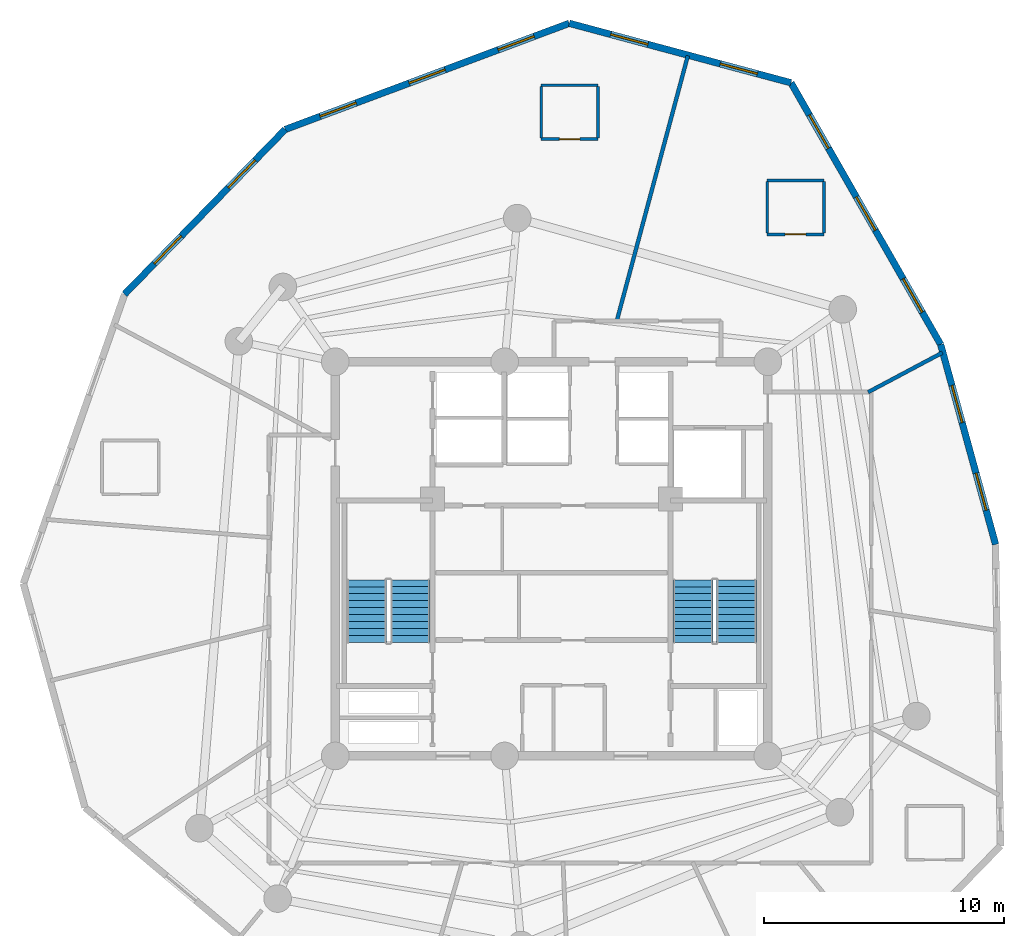
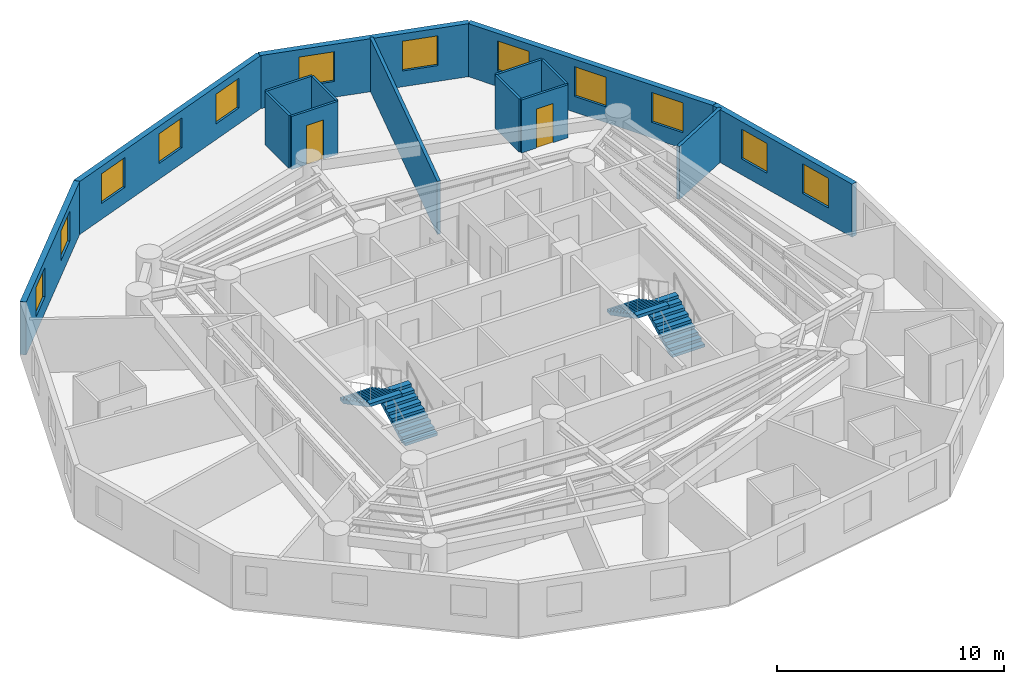
# One storey, part 6 of 7: 15 walls, 12 windows, 4 stair flights, 2 doors, 14 openings, 2 elements without a shape of their own.
"""IFC4 building model written with IfcOpenShell, lengths in metres."""

from ifc_helpers import new_model, si_unit, direction, frame, frame_2d, origin, origin_with_axes, place, context, subcontext, project, spatial, polyline, rectangle, outline, extrude, source, transform, mapped, material, layer, layer_set, type_object, element, fill, aggregate, save


model = new_model("IFC4")

# Units and contexts
model_context = context("Model", 3, precision=1e-05, world=origin(), true_north=direction((0.0, 1.0)))
body_context = subcontext(model_context, "Body", "Model", "MODEL_VIEW")
ifc_project = project(units=[si_unit("LENGTHUNIT", "METRE"), si_unit("AREAUNIT", "SQUARE_METRE"), si_unit("VOLUMEUNIT", "CUBIC_METRE"), si_unit("PLANEANGLEUNIT", "RADIAN"), si_unit("MASSUNIT", "GRAM", prefix="KILO")], contexts=[model_context])

# Site, building, storey
site_placement = place(None, origin())
site = spatial("IfcSite", under=ifc_project, at=site_placement, CompositionType="ELEMENT")
building_placement = place(site_placement, origin())
building = spatial("IfcBuilding", under=site, at=building_placement, Name="Karkom Vertical University and Central Library", CompositionType="ELEMENT")
storey_placement = place(building_placement, frame((0.0, 0.0, 226.050048828125)))
storey = spatial("IfcBuildingStorey", under=building, at=storey_placement, Name="L66", CompositionType="ELEMENT", Elevation=226.050048828125)

# Wall, openings, windows
ifc_material_1 = material(Name="Brick-faced precast concrete C45/55", Category="masonry")
ifc_layer_1 = layer(ifc_material_1, 0.280029296875)
ifc_layer_set_1 = layer_set([ifc_layer_1], Name="Brick-faced precast concrete C45/55")
wall_type_1 = type_object("IfcWallType", Name="ENV-WL-BRK-280", PredefinedType="SOLIDWALL", material=ifc_layer_set_1)
wall_1_placement = place(storey_placement, frame((46.976318359375, 27.1005859375, 0.0), z_axis=(0.0, 0.0, 1.0), x_axis=(-0.264883595198, 0.964280395422, 0.0)))
wall_1 = element("IfcWall", 1, at=wall_1_placement, inside=storey, type_object=wall_type_1, Name="Level 66 Brick-Faced Precast Facade Wall 07", PredefinedType="SOLIDWALL", context=body_context, shape_type="SweptSolid", body=[
    extrude(rectangle(XDim=8.6298828125, YDim=0.280029296875, at=frame_2d((4.31494140625, 0.0))), origin(), (0.0, 0.0, 1.0), 2.849853515625),
])
opening_1_placement = place(wall_1_placement, frame((1.47265625, 0.0, 0.85009765625)))
opening_1 = element("IfcOpeningElement", 2, at=opening_1_placement, cuts=wall_1, Name="Opening WN-10", PredefinedType="OPENING", context=body_context, shape_type="SweptSolid", body=[
    extrude(rectangle(XDim=1.60009765625, YDim=1.60009765625, at=frame_2d((0.800048828125, 0.800048828125))), frame((0.0, 0.14990234375, 0.0), z_axis=(0.0, -1.0, 0.0), x_axis=(1.0, 0.0, 0.0)), (0.0, 0.0, 1.0), 0.300048828125),
])
opening_2_placement = place(wall_1_placement, frame((5.258056640625, 0.0, 0.85009765625)))
opening_2 = element("IfcOpeningElement", 3, at=opening_2_placement, cuts=wall_1, Name="Opening WN-10", PredefinedType="OPENING", context=body_context, shape_type="SweptSolid", body=[
    extrude(rectangle(XDim=1.60009765625, YDim=1.60009765625, at=frame_2d((0.800048828125, 0.800048828125))), frame((0.0, 0.14990234375, 0.0), z_axis=(0.0, -1.0, 0.0), x_axis=(1.0, 0.0, 0.0)), (0.0, 0.0, 1.0), 0.300048828125),
])
ifc_material_2 = material(Name="Aluminium thermal-break frame with solar-control IGU", Category="aluminium")
window_type = type_object("IfcWindowType", Name="ENV-WIN-WN-10", PartitioningType="SINGLE_PANEL", PredefinedType="WINDOW", material=ifc_material_2)
shared_shape_1 = source(origin_with_axes(), body_context, "Body", "SweptSolid", [
    extrude(rectangle(XDim=1.60009765625, YDim=1.60009765625, at=frame_2d((0.800048828125, 0.800048828125))), frame((0.0, 0.030029296875, 0.0), z_axis=(0.0, -1.0, 0.0), x_axis=(1.0, 0.0, 0.0)), (0.0, 0.0, 1.0), 0.06005859375),
])
window_1_placement = place(opening_1_placement, origin())
window_1 = element("IfcWindow", 4, at=window_1_placement, inside=storey, type_object=window_type, Name="Level 66 Punched Window 7.1", OverallHeight=1.60009765625, OverallWidth=1.60009765625, PartitioningType="SINGLE_PANEL", PredefinedType="WINDOW", context=body_context, shape_type="MappedRepresentation", body=[
    mapped(shared_shape_1, transform((0.0, 0.0, 0.0), scale=1.0)),
])
fill(opening_1, window_1)
window_2_placement = place(opening_2_placement, origin())
window_2 = element("IfcWindow", 5, at=window_2_placement, inside=storey, type_object=window_type, Name="Level 66 Punched Window 7.2", OverallHeight=1.60009765625, OverallWidth=1.60009765625, PartitioningType="SINGLE_PANEL", PredefinedType="WINDOW", context=body_context, shape_type="MappedRepresentation", body=[
    mapped(shared_shape_1, transform((0.0, 0.0, 0.0), scale=1.0)),
])
fill(opening_2, window_2)

wall_2_placement = place(storey_placement, frame((44.6904296875, 35.422119140625, 0.0), z_axis=(0.0, 0.0, 1.0), x_axis=(-0.496436598051, 0.868072983173, 0.0)))
wall_2 = element("IfcWall", 6, at=wall_2_placement, inside=storey, type_object=wall_type_1, Name="Level 66 Brick-Faced Precast Facade Wall 08", PredefinedType="SOLIDWALL", context=body_context, shape_type="SweptSolid", body=[
    extrude(rectangle(XDim=12.54150390625, YDim=0.280029296875, at=frame_2d((6.270751953125, 0.0))), origin(), (0.0, 0.0, 1.0), 2.849853515625),
])
opening_3_placement = place(wall_2_placement, frame((1.543701171875, 0.0, 0.85009765625)))
opening_3 = element("IfcOpeningElement", 7, at=opening_3_placement, cuts=wall_2, Name="Opening WN-10", PredefinedType="OPENING", context=body_context, shape_type="SweptSolid", body=[
    extrude(rectangle(XDim=1.60009765625, YDim=1.60009765625, at=frame_2d((0.800048828125, 0.800048828125))), frame((0.0, 0.14990234375, 0.0), z_axis=(0.0, -1.0, 0.0), x_axis=(1.0, 0.0, 0.0)), (0.0, 0.0, 1.0), 0.300048828125),
])
opening_4_placement = place(wall_2_placement, frame((5.470703125, 0.0, 0.85009765625)))
opening_4 = element("IfcOpeningElement", 8, at=opening_4_placement, cuts=wall_2, Name="Opening WN-10", PredefinedType="OPENING", context=body_context, shape_type="SweptSolid", body=[
    extrude(rectangle(XDim=1.60009765625, YDim=1.60009765625, at=frame_2d((0.800048828125, 0.800048828125))), frame((0.0, 0.14990234375, 0.0), z_axis=(0.0, -1.0, 0.0), x_axis=(1.0, 0.0, 0.0)), (0.0, 0.0, 1.0), 0.300048828125),
])
opening_5_placement = place(wall_2_placement, frame((9.39794921875, 0.0, 0.85009765625)))
opening_5 = element("IfcOpeningElement", 9, at=opening_5_placement, cuts=wall_2, Name="Opening WN-10", PredefinedType="OPENING", context=body_context, shape_type="SweptSolid", body=[
    extrude(rectangle(XDim=1.60009765625, YDim=1.60009765625, at=frame_2d((0.800048828125, 0.800048828125))), frame((0.0, 0.14990234375, 0.0), z_axis=(0.0, -1.0, 0.0), x_axis=(1.0, 0.0, 0.0)), (0.0, 0.0, 1.0), 0.300048828125),
])
window_3_placement = place(opening_3_placement, origin())
window_3 = element("IfcWindow", 10, at=window_3_placement, inside=storey, type_object=window_type, Name="Level 66 Punched Window 8.1", OverallHeight=1.60009765625, OverallWidth=1.60009765625, PartitioningType="SINGLE_PANEL", PredefinedType="WINDOW", context=body_context, shape_type="MappedRepresentation", body=[
    mapped(shared_shape_1, transform((0.0, 0.0, 0.0), scale=1.0)),
])
fill(opening_3, window_3)
window_4_placement = place(opening_4_placement, origin())
window_4 = element("IfcWindow", 11, at=window_4_placement, inside=storey, type_object=window_type, Name="Level 66 Punched Window 8.2", OverallHeight=1.60009765625, OverallWidth=1.60009765625, PartitioningType="SINGLE_PANEL", PredefinedType="WINDOW", context=body_context, shape_type="MappedRepresentation", body=[
    mapped(shared_shape_1, transform((0.0, 0.0, 0.0), scale=1.0)),
])
fill(opening_4, window_4)
window_5_placement = place(opening_5_placement, origin())
window_5 = element("IfcWindow", 12, at=window_5_placement, inside=storey, type_object=window_type, Name="Level 66 Punched Window 8.3", OverallHeight=1.60009765625, OverallWidth=1.60009765625, PartitioningType="SINGLE_PANEL", PredefinedType="WINDOW", context=body_context, shape_type="MappedRepresentation", body=[
    mapped(shared_shape_1, transform((0.0, 0.0, 0.0), scale=1.0)),
])
fill(opening_5, window_5)

wall_3_placement = place(storey_placement, frame((38.46435546875, 46.30908203125, 0.0), z_axis=(0.0, 0.0, 1.0), x_axis=(-0.965830047026, 0.259176233983, 0.0)))
wall_3 = element("IfcWall", 13, at=wall_3_placement, inside=storey, type_object=wall_type_1, Name="Level 66 Brick-Faced Precast Facade Wall 09", PredefinedType="SOLIDWALL", context=body_context, shape_type="SweptSolid", body=[
    extrude(rectangle(XDim=9.555419921875, YDim=0.280029296875, at=frame_2d((4.77783203125, 0.0))), origin(), (0.0, 0.0, 1.0), 2.849853515625),
])
opening_6_placement = place(wall_3_placement, frame((1.448974609375, 0.0, 0.85009765625)))
opening_6 = element("IfcOpeningElement", 14, at=opening_6_placement, cuts=wall_3, Name="Opening WN-10", PredefinedType="OPENING", context=body_context, shape_type="SweptSolid", body=[
    extrude(rectangle(XDim=1.60009765625, YDim=1.60009765625, at=frame_2d((0.800048828125, 0.800048828125))), frame((0.0, 0.14990234375, 0.0), z_axis=(0.0, -1.0, 0.0), x_axis=(1.0, 0.0, 0.0)), (0.0, 0.0, 1.0), 0.300048828125),
])
opening_7_placement = place(wall_3_placement, frame((6.166748046875, 0.0, 0.85009765625)))
opening_7 = element("IfcOpeningElement", 15, at=opening_7_placement, cuts=wall_3, Name="Opening WN-10", PredefinedType="OPENING", context=body_context, shape_type="SweptSolid", body=[
    extrude(rectangle(XDim=1.60009765625, YDim=1.60009765625, at=frame_2d((0.800048828125, 0.800048828125))), frame((0.0, 0.14990234375, 0.0), z_axis=(0.0, -1.0, 0.0), x_axis=(1.0, 0.0, 0.0)), (0.0, 0.0, 1.0), 0.300048828125),
])
window_6_placement = place(opening_6_placement, origin())
window_6 = element("IfcWindow", 16, at=window_6_placement, inside=storey, type_object=window_type, Name="Level 66 Punched Window 9.1", OverallHeight=1.60009765625, OverallWidth=1.60009765625, PartitioningType="SINGLE_PANEL", PredefinedType="WINDOW", context=body_context, shape_type="MappedRepresentation", body=[
    mapped(shared_shape_1, transform((0.0, 0.0, 0.0), scale=1.0)),
])
fill(opening_6, window_6)
window_7_placement = place(opening_7_placement, origin())
window_7 = element("IfcWindow", 17, at=window_7_placement, inside=storey, type_object=window_type, Name="Level 66 Punched Window 9.2", OverallHeight=1.60009765625, OverallWidth=1.60009765625, PartitioningType="SINGLE_PANEL", PredefinedType="WINDOW", context=body_context, shape_type="MappedRepresentation", body=[
    mapped(shared_shape_1, transform((0.0, 0.0, 0.0), scale=1.0)),
])
fill(opening_7, window_7)

wall_4_placement = place(storey_placement, frame((29.2353515625, 48.78564453125, 0.0), z_axis=(0.0, 0.0, 1.0), x_axis=(-0.936684055386, -0.350175642193, 0.0)))
wall_4 = element("IfcWall", 18, at=wall_4_placement, inside=storey, type_object=wall_type_1, Name="Level 66 Brick-Faced Precast Facade Wall 10", PredefinedType="SOLIDWALL", context=body_context, shape_type="SweptSolid", body=[
    extrude(rectangle(XDim=12.62060546875, YDim=0.280029296875, at=frame_2d((6.310302734375, 0.0))), origin(), (0.0, 0.0, 1.0), 2.849853515625),
])
opening_8_placement = place(wall_4_placement, frame((1.556884765625, 0.0, 0.85009765625)))
opening_8 = element("IfcOpeningElement", 19, at=opening_8_placement, cuts=wall_4, Name="Opening WN-10", PredefinedType="OPENING", context=body_context, shape_type="SweptSolid", body=[
    extrude(rectangle(XDim=1.60009765625, YDim=1.60009765625, at=frame_2d((0.800048828125, 0.800048828125))), frame((0.0, 0.14990234375, 0.0), z_axis=(0.0, -1.0, 0.0), x_axis=(1.0, 0.0, 0.0)), (0.0, 0.0, 1.0), 0.300048828125),
])
opening_9_placement = place(wall_4_placement, frame((5.51025390625, 0.0, 0.85009765625)))
opening_9 = element("IfcOpeningElement", 20, at=opening_9_placement, cuts=wall_4, Name="Opening WN-10", PredefinedType="OPENING", context=body_context, shape_type="SweptSolid", body=[
    extrude(rectangle(XDim=1.60009765625, YDim=1.60009765625, at=frame_2d((0.800048828125, 0.800048828125))), frame((0.0, 0.14990234375, 0.0), z_axis=(0.0, -1.0, 0.0), x_axis=(1.0, 0.0, 0.0)), (0.0, 0.0, 1.0), 0.300048828125),
])
opening_10_placement = place(wall_4_placement, frame((9.4638671875, 0.0, 0.85009765625)))
opening_10 = element("IfcOpeningElement", 21, at=opening_10_placement, cuts=wall_4, Name="Opening WN-10", PredefinedType="OPENING", context=body_context, shape_type="SweptSolid", body=[
    extrude(rectangle(XDim=1.60009765625, YDim=1.60009765625, at=frame_2d((0.800048828125, 0.800048828125))), frame((0.0, 0.14990234375, 0.0), z_axis=(0.0, -1.0, 0.0), x_axis=(1.0, 0.0, 0.0)), (0.0, 0.0, 1.0), 0.300048828125),
])
window_8_placement = place(opening_8_placement, origin())
window_8 = element("IfcWindow", 22, at=window_8_placement, inside=storey, type_object=window_type, Name="Level 66 Punched Window 10.1", OverallHeight=1.60009765625, OverallWidth=1.60009765625, PartitioningType="SINGLE_PANEL", PredefinedType="WINDOW", context=body_context, shape_type="MappedRepresentation", body=[
    mapped(shared_shape_1, transform((0.0, 0.0, 0.0), scale=1.0)),
])
fill(opening_8, window_8)
window_9_placement = place(opening_9_placement, origin())
window_9 = element("IfcWindow", 23, at=window_9_placement, inside=storey, type_object=window_type, Name="Level 66 Punched Window 10.2", OverallHeight=1.60009765625, OverallWidth=1.60009765625, PartitioningType="SINGLE_PANEL", PredefinedType="WINDOW", context=body_context, shape_type="MappedRepresentation", body=[
    mapped(shared_shape_1, transform((0.0, 0.0, 0.0), scale=1.0)),
])
fill(opening_9, window_9)
window_10_placement = place(opening_10_placement, origin())
window_10 = element("IfcWindow", 24, at=window_10_placement, inside=storey, type_object=window_type, Name="Level 66 Punched Window 10.3", OverallHeight=1.60009765625, OverallWidth=1.60009765625, PartitioningType="SINGLE_PANEL", PredefinedType="WINDOW", context=body_context, shape_type="MappedRepresentation", body=[
    mapped(shared_shape_1, transform((0.0, 0.0, 0.0), scale=1.0)),
])
fill(opening_10, window_10)

wall_5_placement = place(storey_placement, frame((17.413818359375, 44.3662109375, 0.0), z_axis=(0.0, 0.0, 1.0), x_axis=(-0.69789490733, -0.716200180343, 0.0)))
wall_5 = element("IfcWall", 25, at=wall_5_placement, inside=storey, type_object=wall_type_1, Name="Level 66 Brick-Faced Precast Facade Wall 11", PredefinedType="SOLIDWALL", context=body_context, shape_type="SweptSolid", body=[
    extrude(rectangle(XDim=9.576171875, YDim=0.280029296875, at=frame_2d((4.7880859375, 0.0))), origin(), (0.0, 0.0, 1.0), 2.849853515625),
])
opening_11_placement = place(wall_5_placement, frame((1.783935546875, 0.0, 0.85009765625)))
opening_11 = element("IfcOpeningElement", 26, at=opening_11_placement, cuts=wall_5, Name="Opening WN-10", PredefinedType="OPENING", context=body_context, shape_type="SweptSolid", body=[
    extrude(rectangle(XDim=1.60009765625, YDim=1.60009765625, at=frame_2d((0.800048828125, 0.800048828125))), frame((0.0, 0.14990234375, 0.0), z_axis=(0.0, -1.0, 0.0), x_axis=(1.0, 0.0, 0.0)), (0.0, 0.0, 1.0), 0.300048828125),
])
opening_12_placement = place(wall_5_placement, frame((6.192138671875, 0.0, 0.85009765625)))
opening_12 = element("IfcOpeningElement", 27, at=opening_12_placement, cuts=wall_5, Name="Opening WN-10", PredefinedType="OPENING", context=body_context, shape_type="SweptSolid", body=[
    extrude(rectangle(XDim=1.60009765625, YDim=1.60009765625, at=frame_2d((0.800048828125, 0.800048828125))), frame((0.0, 0.14990234375, 0.0), z_axis=(0.0, -1.0, 0.0), x_axis=(1.0, 0.0, 0.0)), (0.0, 0.0, 1.0), 0.300048828125),
])
window_11_placement = place(opening_11_placement, origin())
window_11 = element("IfcWindow", 28, at=window_11_placement, inside=storey, type_object=window_type, Name="Level 66 Punched Window 11.1", OverallHeight=1.60009765625, OverallWidth=1.60009765625, PartitioningType="SINGLE_PANEL", PredefinedType="WINDOW", context=body_context, shape_type="MappedRepresentation", body=[
    mapped(shared_shape_1, transform((0.0, 0.0, 0.0), scale=1.0)),
])
fill(opening_11, window_11)
window_12_placement = place(opening_12_placement, origin())
window_12 = element("IfcWindow", 29, at=window_12_placement, inside=storey, type_object=window_type, Name="Level 66 Punched Window 11.2", OverallHeight=1.60009765625, OverallWidth=1.60009765625, PartitioningType="SINGLE_PANEL", PredefinedType="WINDOW", context=body_context, shape_type="MappedRepresentation", body=[
    mapped(shared_shape_1, transform((0.0, 0.0, 0.0), scale=1.0)),
])
fill(opening_12, window_12)

# Walls
ifc_material_3 = material(Name="Insulated metal-stud drywall 160mm", Category="gypsum")
ifc_layer_2 = layer(ifc_material_3, 0.159912109375)
ifc_layer_set_2 = layer_set([ifc_layer_2], Name="Insulated metal-stud drywall 160mm")
wall_type_2 = type_object("IfcWallType", Name="INT-WL-COR-160", PredefinedType="PARTITIONING", material=ifc_layer_set_2)
wall_6_placement = place(storey_placement, frame((31.20703125, 36.37109375, 0.0), z_axis=(0.0, 0.0, 1.0), x_axis=(0.258815277627, 0.965926835773, 0.0)))
element("IfcWall", 30, at=wall_6_placement, inside=storey, type_object=wall_type_2, Name="Level 66 Interior Partition Wall L66-PW-013", PredefinedType="PARTITIONING", context=body_context, shape_type="SweptSolid", body=[
    extrude(rectangle(XDim=11.45458984375, YDim=0.159912109375, at=frame_2d((5.727294921875, 0.0))), origin(), (0.0, 0.0, 1.0), 2.849853515625),
])
wall_7_placement = place(storey_placement, frame((41.67236328125, 33.435791015625, 0.0), z_axis=(0.0, 0.0, 1.0), x_axis=(0.882940173144, 0.469485516975, 0.0)))
element("IfcWall", 31, at=wall_7_placement, inside=storey, type_object=wall_type_2, Name="Level 66 Interior Partition Wall L66-PW-012", PredefinedType="PARTITIONING", context=body_context, shape_type="SweptSolid", body=[
    extrude(rectangle(XDim=3.49462890625, YDim=0.159912109375, at=frame_2d((1.747314453125, 0.0))), origin(), (0.0, 0.0, 1.0), 2.849853515625),
])

# Wall, opening, door
ifc_material_4 = material(Name="Moisture-resistant drywall 120mm", Category="gypsum")
ifc_layer_3 = layer(ifc_material_4, 0.1201171875)
ifc_layer_set_3 = layer_set([ifc_layer_3], Name="Moisture-resistant drywall 120mm")
wall_type_3 = type_object("IfcWallType", Name="INT-WL-INT-120F", PredefinedType="PARTITIONING", material=ifc_layer_set_3)
wall_8_placement = place(storey_placement, frame((37.472900390625, 40.001953125, 0.0), z_axis=(0.0, 0.0, 1.0), x_axis=(1.0, 0.0, 0.0)))
wall_8 = element("IfcWall", 32, at=wall_8_placement, inside=storey, type_object=wall_type_3, Name="Level 66 Interior Partition Wall L66-ENS-50-S", PredefinedType="PARTITIONING", context=body_context, shape_type="SweptSolid", body=[
    extrude(rectangle(XDim=2.360107421875, YDim=0.1201171875, at=frame_2d((1.18017578125, 0.0))), origin(), (0.0, 0.0, 1.0), 2.849853515625),
])
opening_13_placement = place(wall_8_placement, frame((0.75, 0.0, 0.0)))
opening_13 = element("IfcOpeningElement", 33, at=opening_13_placement, cuts=wall_8, Name="Opening D-BATH", PredefinedType="OPENING", context=body_context, shape_type="SweptSolid", body=[
    extrude(rectangle(XDim=0.860107421875, YDim=2.10009765625, at=frame_2d((0.43017578125, 1.050048828125))), frame((0.0, 0.070068359375, 0.0), z_axis=(0.0, -1.0, 0.0), x_axis=(1.0, 0.0, 0.0)), (0.0, 0.0, 1.0), 0.14013671875),
])
ifc_material_5 = material(Name="Moisture-resistant oak door", Category="wood")
door_type = type_object("IfcDoorType", Name="INT-DR-BATH", OperationType="NOTDEFINED", PredefinedType="DOOR", material=ifc_material_5)
shared_shape_2 = source(origin_with_axes(), body_context, "Body", "SweptSolid", [
    extrude(rectangle(XDim=0.860107421875, YDim=2.10009765625, at=frame_2d((0.43017578125, 1.050048828125))), frame((0.0, 0.02490234375, 0.0), z_axis=(0.0, -1.0, 0.0), x_axis=(1.0, 0.0, 0.0)), (0.0, 0.0, 1.0), 0.050048828125),
])
door_1_placement = place(opening_13_placement, origin())
door_1 = element("IfcDoor", 34, at=door_1_placement, inside=storey, type_object=door_type, Name="Level 66 En-Suite Bathroom Door 50", OperationType="SINGLE_SWING_LEFT", OverallHeight=2.10009765625, OverallWidth=0.860107421875, PredefinedType="DOOR", context=body_context, shape_type="MappedRepresentation", body=[
    mapped(shared_shape_2, transform((0.0, 0.0, 0.0), scale=1.0)),
])
fill(opening_13, door_1)

# Wall
wall_9_placement = place(storey_placement, frame((39.8330078125, 42.241943359375, 0.0), z_axis=(0.0, 0.0, 1.0), x_axis=(-1.0, 0.0, 0.0)))
element("IfcWall", 35, at=wall_9_placement, inside=storey, type_object=wall_type_3, Name="Level 66 Interior Partition Wall L66-ENS-50-N", PredefinedType="PARTITIONING", context=body_context, shape_type="SweptSolid", body=[
    extrude(rectangle(XDim=2.360107421875, YDim=0.1201171875, at=frame_2d((1.18017578125, 0.0))), origin(), (0.0, 0.0, 1.0), 2.849853515625),
])

# Wall, opening, door
wall_10_placement = place(storey_placement, frame((28.071044921875, 43.964111328125, 0.0), z_axis=(0.0, 0.0, 1.0), x_axis=(1.0, 0.0, 0.0)))
wall_10 = element("IfcWall", 36, at=wall_10_placement, inside=storey, type_object=wall_type_3, Name="Level 66 Interior Partition Wall L66-ENS-51-S", PredefinedType="PARTITIONING", context=body_context, shape_type="SweptSolid", body=[
    extrude(rectangle(XDim=2.35986328125, YDim=0.1201171875, at=frame_2d((1.179931640625, 0.0))), origin(), (0.0, 0.0, 1.0), 2.849853515625),
])
opening_14_placement = place(wall_10_placement, frame((0.75, 0.0, 0.0)))
opening_14 = element("IfcOpeningElement", 37, at=opening_14_placement, cuts=wall_10, Name="Opening D-BATH", PredefinedType="OPENING", context=body_context, shape_type="SweptSolid", body=[
    extrude(rectangle(XDim=0.860107421875, YDim=2.10009765625, at=frame_2d((0.43017578125, 1.050048828125))), frame((0.0, 0.070068359375, 0.0), z_axis=(0.0, -1.0, 0.0), x_axis=(1.0, 0.0, 0.0)), (0.0, 0.0, 1.0), 0.14013671875),
])
door_2_placement = place(opening_14_placement, origin())
door_2 = element("IfcDoor", 38, at=door_2_placement, inside=storey, type_object=door_type, Name="Level 66 En-Suite Bathroom Door 51", OperationType="SINGLE_SWING_LEFT", OverallHeight=2.10009765625, OverallWidth=0.860107421875, PredefinedType="DOOR", context=body_context, shape_type="MappedRepresentation", body=[
    mapped(shared_shape_2, transform((0.0, 0.0, 0.0), scale=1.0)),
])
fill(opening_14, door_2)

# Walls
wall_11_placement = place(storey_placement, frame((30.430908203125, 46.2041015625, 0.0), z_axis=(0.0, 0.0, 1.0), x_axis=(-1.0, 0.0, 0.0)))
element("IfcWall", 39, at=wall_11_placement, inside=storey, type_object=wall_type_3, Name="Level 66 Interior Partition Wall L66-ENS-51-N", PredefinedType="PARTITIONING", context=body_context, shape_type="SweptSolid", body=[
    extrude(rectangle(XDim=2.35986328125, YDim=0.1201171875, at=frame_2d((1.179931640625, 0.0))), origin(), (0.0, 0.0, 1.0), 2.849853515625),
])
for number, where, z_axis, x_axis, name in (
    (40, (39.8330078125, 40.052001953125, 0.0), (0.0, 0.0, 1.0), (0.0, 1.0, 0.0), "Level 66 Interior Partition Wall L66-ENS-50-E"),
    (41, (37.472900390625, 42.19189453125, 0.0), (0.0, 0.0, 1.0), (0.0, -1.0, 0.0), "Level 66 Interior Partition Wall L66-ENS-50-W"),
):
    element("IfcWall", number, at=place(storey_placement, frame(where, z_axis=z_axis, x_axis=x_axis)), inside=storey, type_object=wall_type_3, Name=name, PredefinedType="PARTITIONING", context=body_context, shape_type="SweptSolid", body=[
        extrude(rectangle(XDim=2.139892578125, YDim=0.1201171875, at=frame_2d((1.06982421875, 0.0))), origin(), (0.0, 0.0, 1.0), 2.849853515625),
    ])
for number, where, z_axis, x_axis, name in (
    (42, (30.430908203125, 44.013916015625, 0.0), (0.0, 0.0, 1.0), (0.0, 1.0, 0.0), "Level 66 Interior Partition Wall L66-ENS-51-E"),
    (43, (28.071044921875, 46.154052734375, 0.0), (0.0, 0.0, 1.0), (0.0, -1.0, 0.0), "Level 66 Interior Partition Wall L66-ENS-51-W"),
):
    element("IfcWall", number, at=place(storey_placement, frame(where, z_axis=z_axis, x_axis=x_axis)), inside=storey, type_object=wall_type_3, Name=name, PredefinedType="PARTITIONING", context=body_context, shape_type="SweptSolid", body=[
        extrude(rectangle(XDim=2.14013671875, YDim=0.1201171875, at=frame_2d((1.070068359375, 0.0))), origin(), (0.0, 0.0, 1.0), 2.849853515625),
    ])

# Stair, stair flights
ifc_material_6 = material(Name="Concrete C45/55", Category="concrete")
stair_type = type_object("IfcStairType", Name="INT-STR-ST-MAIN", PredefinedType="HALF_TURN_STAIR", material=ifc_material_6)
stair_1_placement = place(storey_placement, origin())
stair_1 = element("IfcStair", 44, at=stair_1_placement, inside=storey, type_object=stair_type, Name="Level 66 Tower Protected Exit Stair ST-1", PredefinedType="HALF_TURN_STAIR")
stair_flight_type = type_object("IfcStairFlightType", Name="INT-SFL-ST-MAIN", PredefinedType="STRAIGHT", material=ifc_material_6)
stair_flight_1_placement = place(storey_placement, frame((22.614990234375, 23.02001953125, 0.0), z_axis=(0.0, 0.0, 1.0), x_axis=(0.0, 1.0, 0.0)))
stair_flight_1 = element("IfcStairFlight", 45, at=stair_flight_1_placement, type_object=stair_flight_type, Name="ST-1 flight 1", NumberOfRisers=10, NumberOfTreads=9, PredefinedType="STRAIGHT", RiserHeight=0.1525, TreadLength=0.29, context=body_context, shape_type="SweptSolid", body=[
    extrude(outline(polyline([(0.0, 0.0), (0.0, 0.152587890625), (0.2900390625, 0.152587890625), (0.2900390625, 0.304931640625), (0.580078125, 0.304931640625), (0.580078125, 0.45751953125), (0.8701171875, 0.45751953125), (0.8701171875, 0.610107421875), (1.159912109375, 0.610107421875), (1.159912109375, 0.762451171875), (1.449951171875, 0.762451171875), (1.449951171875, 0.9150390625), (1.739990234375, 0.9150390625), (1.739990234375, 1.0673828125), (2.030029296875, 1.0673828125), (2.030029296875, 1.219970703125), (2.320068359375, 1.219970703125), (2.320068359375, 1.37255859375), (2.610107421875, 1.37255859375), (2.610107421875, 1.52490234375), (2.610107421875, 1.203125), (0.322021484375, 0.0), (0.0, 0.0)])), frame((0.0, 0.824951171875, 0.0), z_axis=(0.0, -1.0, 0.0), x_axis=(1.0, 0.0, 0.0)), (0.0, 0.0, 1.0), 1.64990234375),
])
stair_flight_2_placement = place(storey_placement, frame((20.804931640625, 25.6298828125, 1.52490234375), z_axis=(0.0, 0.0, 1.0), x_axis=(0.0, -1.0, 0.0)))
stair_flight_2 = element("IfcStairFlight", 46, at=stair_flight_2_placement, type_object=stair_flight_type, Name="ST-1 flight 2", NumberOfRisers=10, NumberOfTreads=9, PredefinedType="STRAIGHT", RiserHeight=0.1525, TreadLength=0.29, context=body_context, shape_type="SweptSolid", body=[
    extrude(outline(polyline([(0.0, 0.0), (0.0, 0.152587890625), (0.2900390625, 0.152587890625), (0.2900390625, 0.304931640625), (0.580078125, 0.304931640625), (0.580078125, 0.45751953125), (0.8701171875, 0.45751953125), (0.8701171875, 0.610107421875), (1.159912109375, 0.610107421875), (1.159912109375, 0.762451171875), (1.449951171875, 0.762451171875), (1.449951171875, 0.9150390625), (1.739990234375, 0.9150390625), (1.739990234375, 1.0673828125), (2.030029296875, 1.0673828125), (2.030029296875, 1.219970703125), (2.320068359375, 1.219970703125), (2.320068359375, 1.37255859375), (2.610107421875, 1.37255859375), (2.610107421875, 1.52490234375), (2.610107421875, 1.203125), (0.322021484375, 0.0), (0.0, 0.0)])), frame((0.0, 0.824951171875, 0.0), z_axis=(0.0, -1.0, 0.0), x_axis=(1.0, 0.0, 0.0)), (0.0, 0.0, 1.0), 1.64990234375),
])
aggregate(stair_1, [stair_flight_1, stair_flight_2])

stair_2_placement = place(storey_placement, origin())
stair_2 = element("IfcStair", 47, at=stair_2_placement, inside=storey, type_object=stair_type, Name="Level 66 Tower Protected Exit Stair ST-2", PredefinedType="HALF_TURN_STAIR")
stair_flight_3_placement = place(storey_placement, frame((36.195068359375, 23.02001953125, 0.0), z_axis=(0.0, 0.0, 1.0), x_axis=(0.0, 1.0, 0.0)))
stair_flight_3 = element("IfcStairFlight", 48, at=stair_flight_3_placement, type_object=stair_flight_type, Name="ST-2 flight 1", NumberOfRisers=10, NumberOfTreads=9, PredefinedType="STRAIGHT", RiserHeight=0.1525, TreadLength=0.29, context=body_context, shape_type="SweptSolid", body=[
    extrude(outline(polyline([(0.0, 0.0), (0.0, 0.152587890625), (0.2900390625, 0.152587890625), (0.2900390625, 0.304931640625), (0.580078125, 0.304931640625), (0.580078125, 0.45751953125), (0.8701171875, 0.45751953125), (0.8701171875, 0.610107421875), (1.159912109375, 0.610107421875), (1.159912109375, 0.762451171875), (1.449951171875, 0.762451171875), (1.449951171875, 0.9150390625), (1.739990234375, 0.9150390625), (1.739990234375, 1.0673828125), (2.030029296875, 1.0673828125), (2.030029296875, 1.219970703125), (2.320068359375, 1.219970703125), (2.320068359375, 1.37255859375), (2.610107421875, 1.37255859375), (2.610107421875, 1.52490234375), (2.610107421875, 1.203125), (0.322021484375, 0.0), (0.0, 0.0)])), frame((0.0, 0.824951171875, 0.0), z_axis=(0.0, -1.0, 0.0), x_axis=(1.0, 0.0, 0.0)), (0.0, 0.0, 1.0), 1.64990234375),
])
stair_flight_4_placement = place(storey_placement, frame((34.385009765625, 25.6298828125, 1.52490234375), z_axis=(0.0, 0.0, 1.0), x_axis=(0.0, -1.0, 0.0)))
stair_flight_4 = element("IfcStairFlight", 49, at=stair_flight_4_placement, type_object=stair_flight_type, Name="ST-2 flight 2", NumberOfRisers=10, NumberOfTreads=9, PredefinedType="STRAIGHT", RiserHeight=0.1525, TreadLength=0.29, context=body_context, shape_type="SweptSolid", body=[
    extrude(outline(polyline([(0.0, 0.0), (0.0, 0.152587890625), (0.2900390625, 0.152587890625), (0.2900390625, 0.304931640625), (0.580078125, 0.304931640625), (0.580078125, 0.45751953125), (0.8701171875, 0.45751953125), (0.8701171875, 0.610107421875), (1.159912109375, 0.610107421875), (1.159912109375, 0.762451171875), (1.449951171875, 0.762451171875), (1.449951171875, 0.9150390625), (1.739990234375, 0.9150390625), (1.739990234375, 1.0673828125), (2.030029296875, 1.0673828125), (2.030029296875, 1.219970703125), (2.320068359375, 1.219970703125), (2.320068359375, 1.37255859375), (2.610107421875, 1.37255859375), (2.610107421875, 1.52490234375), (2.610107421875, 1.203125), (0.322021484375, 0.0), (0.0, 0.0)])), frame((0.0, 0.824951171875, 0.0), z_axis=(0.0, -1.0, 0.0), x_axis=(1.0, 0.0, 0.0)), (0.0, 0.0, 1.0), 1.64990234375),
])
aggregate(stair_2, [stair_flight_3, stair_flight_4])

save(model, "model.ifc")
